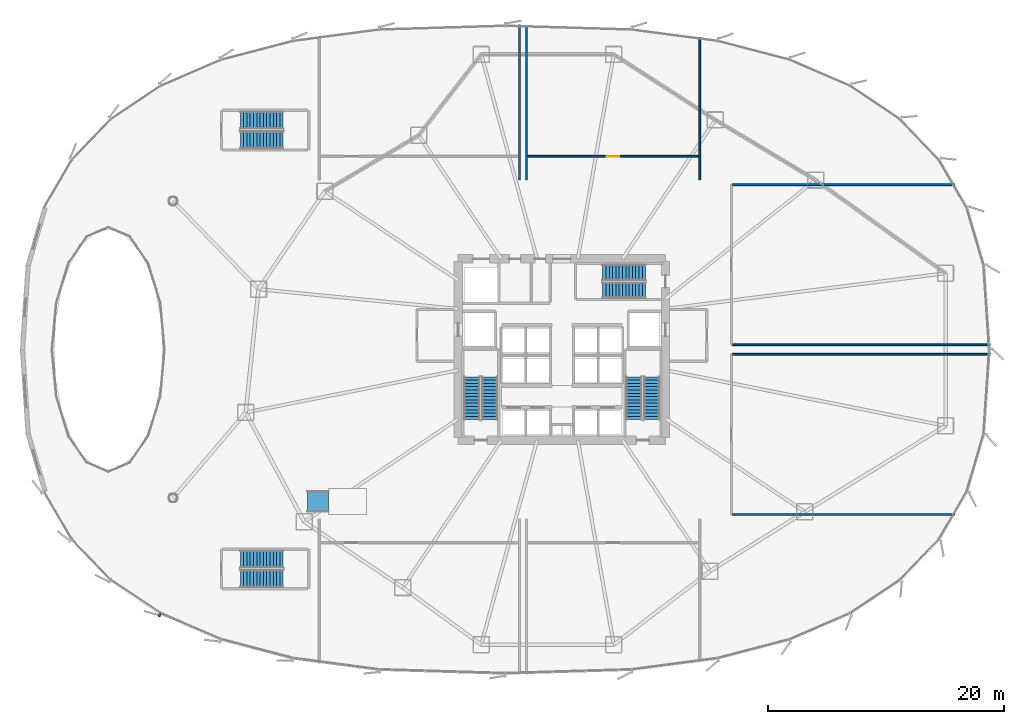
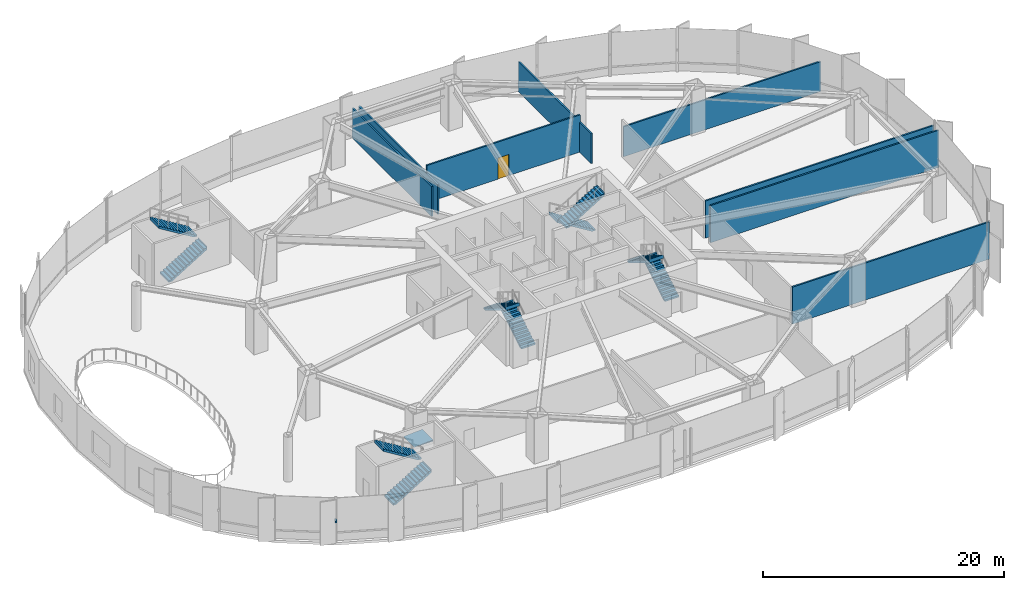
# One storey, part 26 of 34: 10 stair flights, 8 walls, 1 discrete accessory, 1 door, 1 ramp flight, 1 opening, 6 elements without a shape of their own.
"""IFC4 building model written with IfcOpenShell, lengths in metres."""

from ifc_helpers import new_model, si_unit, direction, frame, frame_2d, origin, origin_2d, place, context, subcontext, project, spatial, polyline, rectangle, outline, extrude, source, transform, mapped, material, layer, layer_set, type_object, element, fill, aggregate, save


model = new_model("IFC4")

# Units and contexts
model_context = context("Model", 3, precision=1e-05, world=origin(), true_north=direction((0.0, 1.0)))
body_context = subcontext(model_context, "Body", "Model", "MODEL_VIEW")
ifc_project = project(units=[si_unit("LENGTHUNIT", "METRE"), si_unit("AREAUNIT", "SQUARE_METRE"), si_unit("VOLUMEUNIT", "CUBIC_METRE"), si_unit("PLANEANGLEUNIT", "RADIAN"), si_unit("MASSUNIT", "GRAM", prefix="KILO"), si_unit("THERMODYNAMICTEMPERATUREUNIT", "KELVIN")], contexts=[model_context])

# Site, building, storey
site_placement = place(None, origin())
site = spatial("IfcSite", under=ifc_project, at=site_placement, CompositionType="ELEMENT")
building_placement = place(site_placement, origin())
building = spatial("IfcBuilding", under=site, at=building_placement, Name="Kethvar Cultural Tower", CompositionType="ELEMENT")
storey_placement = place(building_placement, frame((0.0, 0.0, 5.199951171875)))
storey = spatial("IfcBuildingStorey", under=building, at=storey_placement, Name="L01", CompositionType="ELEMENT", Elevation=5.199951171875)

# Wall, opening, door
ifc_material_1 = material(Name="Gypsum Fireboard Partition")
ifc_layer_1 = layer(ifc_material_1, 0.14990234375, Name="Gypsum Fireboard Partition")
ifc_layer_set_1 = layer_set([ifc_layer_1], Name="Gypsum Fireboard Partition (150 mm)")
wall_type_1 = type_object("IfcWallType", Name="WL-FIRE-150", PredefinedType="PARTITIONING", material=ifc_layer_set_1)
wall_1_placement = place(storey_placement, frame((43.800048828125, 44.199951171875, 0.0), z_axis=(0.0, 0.0, 1.0), x_axis=(1.0, 0.0, 0.0)))
wall_1 = element("IfcWall", 1, at=wall_1_placement, inside=storey, type_object=wall_type_1, Name="L01 North Art Archive Store Wall", PredefinedType="PARTITIONING", context=body_context, shape_type="SweptSolid", body=[
    extrude(rectangle(XDim=14.699951171875, YDim=0.14990234375, at=frame_2d((7.35009765625, 0.0))), origin(), (0.0, 0.0, 1.0), 3.762939453125),
])
opening_placement = place(wall_1_placement, frame((6.824951171875, 0.0, 0.0)))
opening = element("IfcOpeningElement", 2, at=opening_placement, cuts=wall_1, Name="Opening D-L01-P6", PredefinedType="OPENING", context=body_context, shape_type="SweptSolid", body=[
    extrude(rectangle(XDim=1.050048828125, YDim=2.14990234375, at=frame_2d((0.52490234375, 1.074951171875))), frame((0.0, 0.0849609375, 0.0), z_axis=(0.0, -1.0, 0.0), x_axis=(1.0, 0.0, 0.0)), (0.0, 0.0, 1.0), 0.169921875),
])
ifc_material_2 = material(Name="Steel S355J2", Category="steel")
door_type = type_object("IfcDoorType", Name="DR-FD60-1050", OperationType="NOTDEFINED", PredefinedType="DOOR", material=ifc_material_2)
shared_shape_1 = source(origin(), body_context, "Body", "SweptSolid", [
    extrude(rectangle(XDim=1.050048828125, YDim=2.14990234375, at=frame_2d((0.52490234375, 1.074951171875))), frame((0.0, 0.02490234375, 0.0), z_axis=(0.0, -1.0, 0.0), x_axis=(1.0, 0.0, 0.0)), (0.0, 0.0, 1.0), 0.050048828125),
])
door_placement = place(opening_placement, origin())
door = element("IfcDoor", 3, at=door_placement, inside=storey, type_object=door_type, Name="L01 North Art Archive Store Door", OperationType="SINGLE_SWING_LEFT", OverallHeight=2.14990234375, OverallWidth=1.050048828125, PredefinedType="DOOR", context=body_context, shape_type="MappedRepresentation", body=[
    mapped(shared_shape_1, transform((0.0, 0.0, 0.0), scale=1.0)),
])
fill(opening, door)

# Walls
ifc_material_3 = material(Name="Gypsum Acoustic Partition")
ifc_layer_2 = layer(ifc_material_3, 0.14990234375, Name="Gypsum Acoustic Partition")
ifc_layer_set_2 = layer_set([ifc_layer_2], Name="Gypsum Acoustic Partition (150 mm)")
wall_type_2 = type_object("IfcWallType", Name="WL-PART-150", PredefinedType="PARTITIONING", material=ifc_layer_set_2)
wall_2_placement = place(storey_placement, frame((61.280029296875, 13.800048828125, 0.0), z_axis=(0.0, 0.0, 1.0), x_axis=(1.0, 0.0, 0.0)))
element("IfcWall", 4, at=wall_2_placement, inside=storey, type_object=wall_type_2, Name="L01 East Exhibition Gallery Side Wall B", PredefinedType="PARTITIONING", context=body_context, shape_type="SweptSolid", body=[
    extrude(rectangle(XDim=18.883056640625, YDim=0.14990234375, at=frame_2d((9.44140625, 0.0))), origin(), (0.0, 0.0, 1.0), 3.762939453125),
])
for number, where, z_axis, x_axis, name in (
    (5, (61.280029296875, 27.39990234375, 0.0), (0.0, 0.0, 1.0), (1.0, 0.0, 0.0), "L01 East Exhibition Gallery Side Wall T"),
    (6, (61.280029296875, 28.199951171875, 0.0), (0.0, 0.0, 1.0), (1.0, 0.0, 0.0), "L01 Northeast Prints Gallery Side Wall B"),
):
    element("IfcWall", number, at=place(storey_placement, frame(where, z_axis=z_axis, x_axis=x_axis)), inside=storey, type_object=wall_type_2, Name=name, PredefinedType="PARTITIONING", context=body_context, shape_type="SweptSolid", body=[
        extrude(rectangle(XDim=21.89306640625, YDim=0.14990234375, at=frame_2d((10.946533203125, 0.0))), origin(), (0.0, 0.0, 1.0), 3.762939453125),
    ])
wall_3_placement = place(storey_placement, frame((61.280029296875, 41.800048828125, 0.0), z_axis=(0.0, 0.0, 1.0), x_axis=(1.0, 0.0, 0.0)))
element("IfcWall", 7, at=wall_3_placement, inside=storey, type_object=wall_type_2, Name="L01 Northeast Prints Gallery Side Wall T", PredefinedType="PARTITIONING", context=body_context, shape_type="SweptSolid", body=[
    extrude(rectangle(XDim=18.883056640625, YDim=0.14990234375, at=frame_2d((9.44140625, 0.0))), origin(), (0.0, 0.0, 1.0), 3.030029296875),
])
wall_4_placement = place(storey_placement, frame((43.199951171875, 42.199951171875, 0.0), z_axis=(0.0, 0.0, 1.0), x_axis=(0.0, 1.0, 0.0)))
element("IfcWall", 8, at=wall_4_placement, inside=storey, type_object=wall_type_2, Name="L01 North Education Seminar Room Side Wall R", PredefinedType="PARTITIONING", context=body_context, shape_type="SweptSolid", body=[
    extrude(rectangle(XDim=13.163818359375, YDim=0.14990234375, at=frame_2d((6.58203125, 0.0))), origin(), (0.0, 0.0, 1.0), 3.030029296875),
])
wall_5_placement = place(storey_placement, frame((43.800048828125, 42.199951171875, 0.0), z_axis=(0.0, 0.0, 1.0), x_axis=(0.0, 1.0, 0.0)))
element("IfcWall", 9, at=wall_5_placement, inside=storey, type_object=wall_type_2, Name="L01 North Art Archive Store Side Wall L", PredefinedType="PARTITIONING", context=body_context, shape_type="SweptSolid", body=[
    extrude(rectangle(XDim=13.145751953125, YDim=0.14990234375, at=frame_2d((6.57275390625, 0.0))), origin(), (0.0, 0.0, 1.0), 3.030029296875),
])
wall_6_placement = place(storey_placement, frame((58.5, 42.199951171875, 0.0), z_axis=(0.0, 0.0, 1.0), x_axis=(0.0, 1.0, 0.0)))
element("IfcWall", 10, at=wall_6_placement, inside=storey, type_object=wall_type_2, Name="L01 North Art Archive Store Side Wall R", PredefinedType="PARTITIONING", context=body_context, shape_type="SweptSolid", body=[
    extrude(rectangle(XDim=12.11474609375, YDim=0.14990234375, at=frame_2d((6.057373046875, 0.0))), origin(), (0.0, 0.0, 1.0), 3.030029296875),
])

# Stair, stair flights
ifc_material_4 = material(Name="Concrete C40/50", Category="concrete")
stair_type_1 = type_object("IfcStairType", Name="ST-DOGLEG-135", PredefinedType="HALF_TURN_STAIR", material=ifc_material_4)
stair_1_placement = place(storey_placement, origin())
stair_1 = element("IfcStair", 11, at=stair_1_placement, inside=storey, type_object=stair_type_1, Name="L01 Core Exit Stair 1", PredefinedType="HALF_TURN_STAIR")
stair_flight_type_1 = type_object("IfcStairFlightType", Name="FL-STRAIGHT-135", PredefinedType="STRAIGHT", material=ifc_material_4)
stair_flight_1_placement = place(storey_placement, frame((40.675048828125, 21.85009765625, 0.0), z_axis=(0.0, 0.0, 1.0), x_axis=(0.0, 1.0, 0.0)))
stair_flight_1 = element("IfcStairFlight", 12, at=stair_flight_1_placement, type_object=stair_flight_type_1, Name="ST-01 flight 1", NumberOfRisers=14, NumberOfTreads=13, PredefinedType="STRAIGHT", RiserHeight=0.171428571, TreadLength=0.28, context=body_context, shape_type="SweptSolid", body=[
    extrude(outline(polyline([(-0.0009765625, -0.0009765625), (-0.0009765625, 0.17138671875), (0.280029296875, 0.17138671875), (0.280029296875, 0.3427734375), (0.56005859375, 0.3427734375), (0.56005859375, 0.514404296875), (0.840087890625, 0.514404296875), (0.840087890625, 0.685791015625), (1.1201171875, 0.685791015625), (1.1201171875, 0.857177734375), (1.39990234375, 0.857177734375), (1.39990234375, 1.028564453125), (1.679931640625, 1.028564453125), (1.679931640625, 1.199951171875), (1.9599609375, 1.199951171875), (1.9599609375, 1.371337890625), (2.239990234375, 1.371337890625), (2.239990234375, 1.54296875), (2.52001953125, 1.54296875), (2.52001953125, 1.71435546875), (2.800048828125, 1.71435546875), (2.800048828125, 1.8857421875), (3.080078125, 1.8857421875), (3.080078125, 2.05712890625), (3.360107421875, 2.05712890625), (3.360107421875, 2.228515625), (3.639892578125, 2.228515625), (3.639892578125, 2.39990234375), (3.640869140625, 2.39990234375), (3.640869140625, 2.052734375), (0.287109375, 0.0), (0.0, -0.0009765625), (-0.0009765625, -0.0009765625)])), frame((0.0, 0.675048828125, 0.0), z_axis=(0.0, -1.0, 0.0), x_axis=(1.0, 0.0, 0.0)), (0.0, 0.0, 1.0), 1.35009765625),
])
stair_flight_2_placement = place(storey_placement, frame((39.1650390625, 25.489990234375, 2.400146484375), z_axis=(0.0, 0.0, 1.0), x_axis=(0.0, -1.0, 0.0)))
stair_flight_2 = element("IfcStairFlight", 13, at=stair_flight_2_placement, type_object=stair_flight_type_1, Name="ST-01 flight 2", NumberOfRisers=14, NumberOfTreads=13, PredefinedType="STRAIGHT", RiserHeight=0.171428571, TreadLength=0.28, context=body_context, shape_type="SweptSolid", body=[
    extrude(outline(polyline([(-0.0009765625, -0.0009765625), (-0.0009765625, 0.17138671875), (0.280029296875, 0.17138671875), (0.280029296875, 0.3427734375), (0.56005859375, 0.3427734375), (0.56005859375, 0.514404296875), (0.840087890625, 0.514404296875), (0.840087890625, 0.685791015625), (1.1201171875, 0.685791015625), (1.1201171875, 0.857177734375), (1.39990234375, 0.857177734375), (1.39990234375, 1.028564453125), (1.679931640625, 1.028564453125), (1.679931640625, 1.199951171875), (1.9599609375, 1.199951171875), (1.9599609375, 1.371337890625), (2.239990234375, 1.371337890625), (2.239990234375, 1.54296875), (2.52001953125, 1.54296875), (2.52001953125, 1.71435546875), (2.800048828125, 1.71435546875), (2.800048828125, 1.8857421875), (3.080078125, 1.8857421875), (3.080078125, 2.05712890625), (3.360107421875, 2.05712890625), (3.360107421875, 2.228515625), (3.639892578125, 2.228515625), (3.639892578125, 2.39990234375), (3.640869140625, 2.39990234375), (3.640869140625, 2.052734375), (0.287109375, 0.0), (0.0, -0.0009765625), (-0.0009765625, -0.0009765625)])), frame((0.0, 0.675048828125, 0.0), z_axis=(0.0, -1.0, 0.0), x_axis=(1.0, 0.0, 0.0)), (0.0, 0.0, 1.0), 1.35009765625),
])
aggregate(stair_1, [stair_flight_1, stair_flight_2])

stair_2_placement = place(storey_placement, origin())
stair_2 = element("IfcStair", 14, at=stair_2_placement, inside=storey, type_object=stair_type_1, Name="L01 Core Exit Stair 2", PredefinedType="HALF_TURN_STAIR")
stair_flight_3_placement = place(storey_placement, frame((54.43505859375, 21.85009765625, 0.0), z_axis=(0.0, 0.0, 1.0), x_axis=(0.0, 1.0, 0.0)))
stair_flight_3 = element("IfcStairFlight", 15, at=stair_flight_3_placement, type_object=stair_flight_type_1, Name="ST-02 flight 1", NumberOfRisers=14, NumberOfTreads=13, PredefinedType="STRAIGHT", RiserHeight=0.171428571, TreadLength=0.28, context=body_context, shape_type="SweptSolid", body=[
    extrude(outline(polyline([(-0.0009765625, -0.0009765625), (-0.0009765625, 0.17138671875), (0.280029296875, 0.17138671875), (0.280029296875, 0.3427734375), (0.56005859375, 0.3427734375), (0.56005859375, 0.514404296875), (0.840087890625, 0.514404296875), (0.840087890625, 0.685791015625), (1.1201171875, 0.685791015625), (1.1201171875, 0.857177734375), (1.39990234375, 0.857177734375), (1.39990234375, 1.028564453125), (1.679931640625, 1.028564453125), (1.679931640625, 1.199951171875), (1.9599609375, 1.199951171875), (1.9599609375, 1.371337890625), (2.239990234375, 1.371337890625), (2.239990234375, 1.54296875), (2.52001953125, 1.54296875), (2.52001953125, 1.71435546875), (2.800048828125, 1.71435546875), (2.800048828125, 1.8857421875), (3.080078125, 1.8857421875), (3.080078125, 2.05712890625), (3.360107421875, 2.05712890625), (3.360107421875, 2.228515625), (3.639892578125, 2.228515625), (3.639892578125, 2.39990234375), (3.640869140625, 2.39990234375), (3.640869140625, 2.052734375), (0.287109375, 0.0), (0.0, -0.0009765625), (-0.0009765625, -0.0009765625)])), frame((0.0, 0.675048828125, 0.0), z_axis=(0.0, -1.0, 0.0), x_axis=(1.0, 0.0, 0.0)), (0.0, 0.0, 1.0), 1.35009765625),
])
stair_flight_4_placement = place(storey_placement, frame((52.925048828125, 25.489990234375, 2.400146484375), z_axis=(0.0, 0.0, 1.0), x_axis=(0.0, -1.0, 0.0)))
stair_flight_4 = element("IfcStairFlight", 16, at=stair_flight_4_placement, type_object=stair_flight_type_1, Name="ST-02 flight 2", NumberOfRisers=14, NumberOfTreads=13, PredefinedType="STRAIGHT", RiserHeight=0.171428571, TreadLength=0.28, context=body_context, shape_type="SweptSolid", body=[
    extrude(outline(polyline([(-0.0009765625, -0.0009765625), (-0.0009765625, 0.17138671875), (0.280029296875, 0.17138671875), (0.280029296875, 0.3427734375), (0.56005859375, 0.3427734375), (0.56005859375, 0.514404296875), (0.840087890625, 0.514404296875), (0.840087890625, 0.685791015625), (1.1201171875, 0.685791015625), (1.1201171875, 0.857177734375), (1.39990234375, 0.857177734375), (1.39990234375, 1.028564453125), (1.679931640625, 1.028564453125), (1.679931640625, 1.199951171875), (1.9599609375, 1.199951171875), (1.9599609375, 1.371337890625), (2.239990234375, 1.371337890625), (2.239990234375, 1.54296875), (2.52001953125, 1.54296875), (2.52001953125, 1.71435546875), (2.800048828125, 1.71435546875), (2.800048828125, 1.8857421875), (3.080078125, 1.8857421875), (3.080078125, 2.05712890625), (3.360107421875, 2.05712890625), (3.360107421875, 2.228515625), (3.639892578125, 2.228515625), (3.639892578125, 2.39990234375), (3.640869140625, 2.39990234375), (3.640869140625, 2.052734375), (0.287109375, 0.0), (0.0, -0.0009765625), (-0.0009765625, -0.0009765625)])), frame((0.0, 0.675048828125, 0.0), z_axis=(0.0, -1.0, 0.0), x_axis=(1.0, 0.0, 0.0)), (0.0, 0.0, 1.0), 1.35009765625),
])
aggregate(stair_2, [stair_flight_3, stair_flight_4])

stair_3_placement = place(storey_placement, origin())
stair_3 = element("IfcStair", 17, at=stair_3_placement, inside=storey, type_object=stair_type_1, Name="L01 Core Exit Stair 3", PredefinedType="HALF_TURN_STAIR")
stair_flight_5_placement = place(storey_placement, frame((53.89990234375, 34.3349609375, 0.0), z_axis=(0.0, 0.0, 1.0), x_axis=(-1.0, 0.0, 0.0)))
stair_flight_5 = element("IfcStairFlight", 18, at=stair_flight_5_placement, type_object=stair_flight_type_1, Name="ST-03 flight 1", NumberOfRisers=14, NumberOfTreads=13, PredefinedType="STRAIGHT", RiserHeight=0.171428571, TreadLength=0.28, context=body_context, shape_type="SweptSolid", body=[
    extrude(outline(polyline([(-0.0009765625, -0.0009765625), (-0.0009765625, 0.17138671875), (0.280029296875, 0.17138671875), (0.280029296875, 0.3427734375), (0.56005859375, 0.3427734375), (0.56005859375, 0.514404296875), (0.840087890625, 0.514404296875), (0.840087890625, 0.685791015625), (1.1201171875, 0.685791015625), (1.1201171875, 0.857177734375), (1.39990234375, 0.857177734375), (1.39990234375, 1.028564453125), (1.679931640625, 1.028564453125), (1.679931640625, 1.199951171875), (1.9599609375, 1.199951171875), (1.9599609375, 1.371337890625), (2.239990234375, 1.371337890625), (2.239990234375, 1.54296875), (2.52001953125, 1.54296875), (2.52001953125, 1.71435546875), (2.800048828125, 1.71435546875), (2.800048828125, 1.8857421875), (3.080078125, 1.8857421875), (3.080078125, 2.05712890625), (3.360107421875, 2.05712890625), (3.360107421875, 2.228515625), (3.639892578125, 2.228515625), (3.639892578125, 2.39990234375), (3.640869140625, 2.39990234375), (3.640869140625, 2.052734375), (0.287109375, 0.0), (0.0, -0.0009765625), (-0.0009765625, -0.0009765625)])), frame((0.0, 0.675048828125, 0.0), z_axis=(0.0, -1.0, 0.0), x_axis=(1.0, 0.0, 0.0)), (0.0, 0.0, 1.0), 1.35009765625),
])
stair_flight_6_placement = place(storey_placement, frame((50.260009765625, 32.824951171875, 2.400146484375), z_axis=(0.0, 0.0, 1.0), x_axis=(1.0, 0.0, 0.0)))
stair_flight_6 = element("IfcStairFlight", 19, at=stair_flight_6_placement, type_object=stair_flight_type_1, Name="ST-03 flight 2", NumberOfRisers=14, NumberOfTreads=13, PredefinedType="STRAIGHT", RiserHeight=0.171428571, TreadLength=0.28, context=body_context, shape_type="SweptSolid", body=[
    extrude(outline(polyline([(-0.0009765625, -0.0009765625), (-0.0009765625, 0.17138671875), (0.280029296875, 0.17138671875), (0.280029296875, 0.3427734375), (0.56005859375, 0.3427734375), (0.56005859375, 0.514404296875), (0.840087890625, 0.514404296875), (0.840087890625, 0.685791015625), (1.1201171875, 0.685791015625), (1.1201171875, 0.857177734375), (1.39990234375, 0.857177734375), (1.39990234375, 1.028564453125), (1.679931640625, 1.028564453125), (1.679931640625, 1.199951171875), (1.9599609375, 1.199951171875), (1.9599609375, 1.371337890625), (2.239990234375, 1.371337890625), (2.239990234375, 1.54296875), (2.52001953125, 1.54296875), (2.52001953125, 1.71435546875), (2.800048828125, 1.71435546875), (2.800048828125, 1.8857421875), (3.080078125, 1.8857421875), (3.080078125, 2.05712890625), (3.360107421875, 2.05712890625), (3.360107421875, 2.228515625), (3.639892578125, 2.228515625), (3.639892578125, 2.39990234375), (3.640869140625, 2.39990234375), (3.640869140625, 2.052734375), (0.287109375, 0.0), (0.0, -0.0009765625), (-0.0009765625, -0.0009765625)])), frame((0.0, 0.675048828125, 0.0), z_axis=(0.0, -1.0, 0.0), x_axis=(1.0, 0.0, 0.0)), (0.0, 0.0, 1.0), 1.35009765625),
])
aggregate(stair_3, [stair_flight_5, stair_flight_6])

stair_type_2 = type_object("IfcStairType", Name="ST-DOGLEG-150", PredefinedType="HALF_TURN_STAIR", material=ifc_material_4)
stair_4_placement = place(storey_placement, origin())
stair_4 = element("IfcStair", 20, at=stair_4_placement, inside=storey, type_object=stair_type_2, Name="L01 Podium Auditorium Exit Stair 4", PredefinedType="HALF_TURN_STAIR")
stair_flight_type_2 = type_object("IfcStairFlightType", Name="FL-STRAIGHT-150", PredefinedType="STRAIGHT", material=ifc_material_4)
stair_flight_7_placement = place(storey_placement, frame((19.5, 8.35009765625, 0.0), z_axis=(0.0, 0.0, 1.0), x_axis=(1.0, 0.0, 0.0)))
stair_flight_7 = element("IfcStairFlight", 21, at=stair_flight_7_placement, type_object=stair_flight_type_2, Name="ST-04 flight 1", NumberOfRisers=14, NumberOfTreads=13, PredefinedType="STRAIGHT", RiserHeight=0.171428571, TreadLength=0.28, context=body_context, shape_type="SweptSolid", body=[
    extrude(outline(polyline([(-0.0009765625, -0.0009765625), (-0.0009765625, 0.17138671875), (0.280029296875, 0.17138671875), (0.280029296875, 0.3427734375), (0.56005859375, 0.3427734375), (0.56005859375, 0.514404296875), (0.840087890625, 0.514404296875), (0.840087890625, 0.685791015625), (1.1201171875, 0.685791015625), (1.1201171875, 0.857177734375), (1.39990234375, 0.857177734375), (1.39990234375, 1.028564453125), (1.679931640625, 1.028564453125), (1.679931640625, 1.199951171875), (1.9599609375, 1.199951171875), (1.9599609375, 1.371337890625), (2.239990234375, 1.371337890625), (2.239990234375, 1.54296875), (2.52001953125, 1.54296875), (2.52001953125, 1.71435546875), (2.800048828125, 1.71435546875), (2.800048828125, 1.8857421875), (3.080078125, 1.8857421875), (3.080078125, 2.05712890625), (3.360107421875, 2.05712890625), (3.360107421875, 2.228515625), (3.639892578125, 2.228515625), (3.639892578125, 2.39990234375), (3.640869140625, 2.39990234375), (3.640869140625, 2.052734375), (0.287109375, 0.0), (0.0, -0.0009765625), (-0.0009765625, -0.0009765625)])), frame((0.0, 0.75, 0.0), z_axis=(0.0, -1.0, 0.0), x_axis=(1.0, 0.0, 0.0)), (0.0, 0.0, 1.0), 1.5),
])
stair_flight_8_placement = place(storey_placement, frame((23.139892578125, 10.010009765625, 2.400146484375), z_axis=(0.0, 0.0, 1.0), x_axis=(-1.0, 0.0, 0.0)))
stair_flight_8 = element("IfcStairFlight", 22, at=stair_flight_8_placement, type_object=stair_flight_type_2, Name="ST-04 flight 2", NumberOfRisers=14, NumberOfTreads=13, PredefinedType="STRAIGHT", RiserHeight=0.171428571, TreadLength=0.28, context=body_context, shape_type="SweptSolid", body=[
    extrude(outline(polyline([(-0.0009765625, -0.0009765625), (-0.0009765625, 0.17138671875), (0.280029296875, 0.17138671875), (0.280029296875, 0.3427734375), (0.56005859375, 0.3427734375), (0.56005859375, 0.514404296875), (0.840087890625, 0.514404296875), (0.840087890625, 0.685791015625), (1.1201171875, 0.685791015625), (1.1201171875, 0.857177734375), (1.39990234375, 0.857177734375), (1.39990234375, 1.028564453125), (1.679931640625, 1.028564453125), (1.679931640625, 1.199951171875), (1.9599609375, 1.199951171875), (1.9599609375, 1.371337890625), (2.239990234375, 1.371337890625), (2.239990234375, 1.54296875), (2.52001953125, 1.54296875), (2.52001953125, 1.71435546875), (2.800048828125, 1.71435546875), (2.800048828125, 1.8857421875), (3.080078125, 1.8857421875), (3.080078125, 2.05712890625), (3.360107421875, 2.05712890625), (3.360107421875, 2.228515625), (3.639892578125, 2.228515625), (3.639892578125, 2.39990234375), (3.640869140625, 2.39990234375), (3.640869140625, 2.052734375), (0.287109375, 0.0), (0.0, -0.0009765625), (-0.0009765625, -0.0009765625)])), frame((0.0, 0.75, 0.0), z_axis=(0.0, -1.0, 0.0), x_axis=(1.0, 0.0, 0.0)), (0.0, 0.0, 1.0), 1.5),
])
aggregate(stair_4, [stair_flight_7, stair_flight_8])

stair_5_placement = place(storey_placement, origin())
stair_5 = element("IfcStair", 23, at=stair_5_placement, inside=storey, type_object=stair_type_2, Name="L01 Podium Auditorium Exit Stair 5", PredefinedType="HALF_TURN_STAIR")
stair_flight_9_placement = place(storey_placement, frame((19.5, 45.590087890625, 0.0), z_axis=(0.0, 0.0, 1.0), x_axis=(1.0, 0.0, 0.0)))
stair_flight_9 = element("IfcStairFlight", 24, at=stair_flight_9_placement, type_object=stair_flight_type_2, Name="ST-05 flight 1", NumberOfRisers=14, NumberOfTreads=13, PredefinedType="STRAIGHT", RiserHeight=0.171428571, TreadLength=0.28, context=body_context, shape_type="SweptSolid", body=[
    extrude(outline(polyline([(-0.0009765625, -0.0009765625), (-0.0009765625, 0.17138671875), (0.280029296875, 0.17138671875), (0.280029296875, 0.3427734375), (0.56005859375, 0.3427734375), (0.56005859375, 0.514404296875), (0.840087890625, 0.514404296875), (0.840087890625, 0.685791015625), (1.1201171875, 0.685791015625), (1.1201171875, 0.857177734375), (1.39990234375, 0.857177734375), (1.39990234375, 1.028564453125), (1.679931640625, 1.028564453125), (1.679931640625, 1.199951171875), (1.9599609375, 1.199951171875), (1.9599609375, 1.371337890625), (2.239990234375, 1.371337890625), (2.239990234375, 1.54296875), (2.52001953125, 1.54296875), (2.52001953125, 1.71435546875), (2.800048828125, 1.71435546875), (2.800048828125, 1.8857421875), (3.080078125, 1.8857421875), (3.080078125, 2.05712890625), (3.360107421875, 2.05712890625), (3.360107421875, 2.228515625), (3.639892578125, 2.228515625), (3.639892578125, 2.39990234375), (3.640869140625, 2.39990234375), (3.640869140625, 2.052734375), (0.287109375, 0.0), (0.0, -0.0009765625), (-0.0009765625, -0.0009765625)])), frame((0.0, 0.75, 0.0), z_axis=(0.0, -1.0, 0.0), x_axis=(1.0, 0.0, 0.0)), (0.0, 0.0, 1.0), 1.5),
])
stair_flight_10_placement = place(storey_placement, frame((23.139892578125, 47.25, 2.400146484375), z_axis=(0.0, 0.0, 1.0), x_axis=(-1.0, 0.0, 0.0)))
stair_flight_10 = element("IfcStairFlight", 25, at=stair_flight_10_placement, type_object=stair_flight_type_2, Name="ST-05 flight 2", NumberOfRisers=14, NumberOfTreads=13, PredefinedType="STRAIGHT", RiserHeight=0.171428571, TreadLength=0.28, context=body_context, shape_type="SweptSolid", body=[
    extrude(outline(polyline([(-0.0009765625, -0.0009765625), (-0.0009765625, 0.17138671875), (0.280029296875, 0.17138671875), (0.280029296875, 0.3427734375), (0.56005859375, 0.3427734375), (0.56005859375, 0.514404296875), (0.840087890625, 0.514404296875), (0.840087890625, 0.685791015625), (1.1201171875, 0.685791015625), (1.1201171875, 0.857177734375), (1.39990234375, 0.857177734375), (1.39990234375, 1.028564453125), (1.679931640625, 1.028564453125), (1.679931640625, 1.199951171875), (1.9599609375, 1.199951171875), (1.9599609375, 1.371337890625), (2.239990234375, 1.371337890625), (2.239990234375, 1.54296875), (2.52001953125, 1.54296875), (2.52001953125, 1.71435546875), (2.800048828125, 1.71435546875), (2.800048828125, 1.8857421875), (3.080078125, 1.8857421875), (3.080078125, 2.05712890625), (3.360107421875, 2.05712890625), (3.360107421875, 2.228515625), (3.639892578125, 2.228515625), (3.639892578125, 2.39990234375), (3.640869140625, 2.39990234375), (3.640869140625, 2.052734375), (0.287109375, 0.0), (0.0, -0.0009765625), (-0.0009765625, -0.0009765625)])), frame((0.0, 0.75, 0.0), z_axis=(0.0, -1.0, 0.0), x_axis=(1.0, 0.0, 0.0)), (0.0, 0.0, 1.0), 1.5),
])
aggregate(stair_5, [stair_flight_9, stair_flight_10])

# Ramp, ramp flight
ramp_type = type_object("IfcRampType", Name="RMP-ACC-1800", PredefinedType="STRAIGHT_RUN_RAMP", material=ifc_material_4)
ramp_placement = place(storey_placement, origin())
ramp = element("IfcRamp", 26, at=ramp_placement, inside=storey, type_object=ramp_type, Name="L01 Accessible Foyer Ramp 2", PredefinedType="STRAIGHT_RUN_RAMP")
ifc_layer_3 = layer(ifc_material_4, 0.1201171875, Name="Concrete C40/50", Category="concrete")
ifc_layer_set_3 = layer_set([ifc_layer_3], Name="Concrete C40/50 (120 mm)")
ramp_flight_type = type_object("IfcRampFlightType", Name="RFL-ACC-1800", PredefinedType="STRAIGHT", material=ifc_layer_set_3)
ramp_flight_placement = place(storey_placement, frame((25.199951171875, 14.89990234375, 0.0), z_axis=(0.0, 0.0, 1.0), x_axis=(1.0, 0.0, 0.0)))
ramp_flight = element("IfcRampFlight", 27, at=ramp_flight_placement, type_object=ramp_flight_type, Name="L01 Accessible Foyer Ramp Flight 2", PredefinedType="STRAIGHT", context=body_context, shape_type="SweptSolid", body=[
    extrude(outline(polyline([(-0.0009765625, -0.0009765625), (1.801025390625, -0.0009765625), (1.801025390625, 0.1201171875), (-0.0009765625, 0.008056640625), (-0.0009765625, -0.0009765625)])), frame((0.0, 0.89990234375, 0.0), z_axis=(0.0, -1.0, 0.0), x_axis=(1.0, 0.0, 0.0)), (0.0, 0.0, 1.0), 1.800048828125),
])
aggregate(ramp, [ramp_flight])

# Discrete accessory
discrete_accessory_type = type_object("IfcDiscreteAccessoryType", Name="Steel Fin Bracket BRK-01", PredefinedType="BRACKET", material=ifc_material_2)
shared_shape_2 = source(origin(), body_context, "Body", "SweptSolid", [
    extrude(rectangle(XDim=0.3798828125, YDim=0.159912109375, at=origin_2d()), origin(), (0.0, 0.0, 1.0), 0.179931640625),
])
discrete_accessory_placement = place(storey_placement, frame((12.669677734375, 5.306884765625, 2.1298828125), z_axis=(0.0, 0.0, 1.0), x_axis=(-0.396346847517, -0.9181008531, 0.0)))
element("IfcDiscreteAccessory", 28, at=discrete_accessory_placement, inside=storey, type_object=discrete_accessory_type, Name="L01 Terracotta Fin Bracket 4.4", PredefinedType="BRACKET", context=body_context, shape_type="MappedRepresentation", body=[
    mapped(shared_shape_2, transform((0.0, 0.0, 0.0), scale=1.0)),
])

save(model, "model.ifc")
